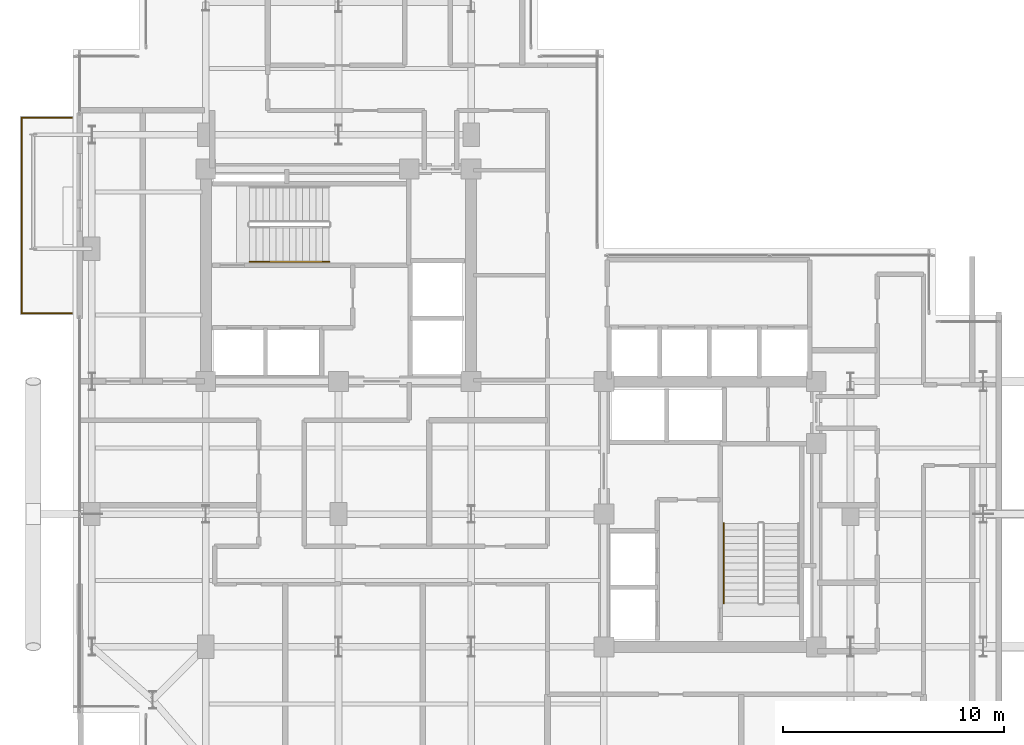
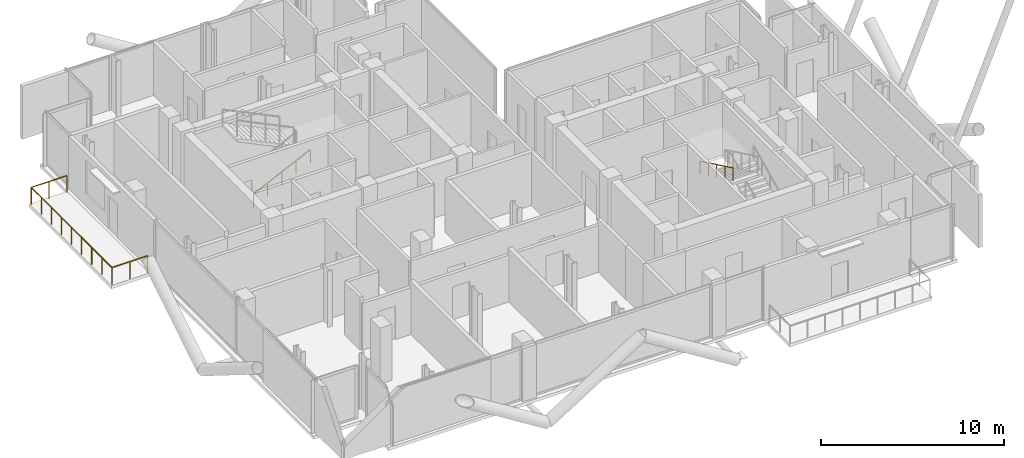
# One storey, part 24 of 26: 3 railings.
"""IFC4 building model written with IfcOpenShell, lengths in metres."""

from ifc_helpers import new_model, si_unit, direction, frame, origin, origin_2d, place, context, subcontext, project, spatial, rectangle, extrude, material, type_object, element, save


model = new_model("IFC4")

# Units and contexts
model_context = context("Model", 3, precision=1e-05, world=origin(), true_north=direction((0.0, 1.0)))
body_context = subcontext(model_context, "Body", "Model", "MODEL_VIEW")
ifc_project = project(units=[si_unit("LENGTHUNIT", "METRE"), si_unit("AREAUNIT", "SQUARE_METRE"), si_unit("VOLUMEUNIT", "CUBIC_METRE"), si_unit("PLANEANGLEUNIT", "RADIAN"), si_unit("MASSUNIT", "GRAM", prefix="KILO"), si_unit("THERMODYNAMICTEMPERATUREUNIT", "KELVIN"), si_unit("POWERUNIT", "WATT")], contexts=[model_context])

# Site, building, storey
site_placement = place(None, origin())
site = spatial("IfcSite", under=ifc_project, at=site_placement, CompositionType="ELEMENT")
building_placement = place(site_placement, origin())
building = spatial("IfcBuilding", under=site, at=building_placement, Name="Svarakhadi Broadcast Tower", CompositionType="ELEMENT")
storey_placement = place(building_placement, frame((0.0, 0.0, 184.199951171875)))
storey = spatial("IfcBuildingStorey", under=building, at=storey_placement, Name="L45", CompositionType="ELEMENT", Elevation=184.199951171875)

# Railings
ifc_material_1 = material(Name="Laminated Structural SentryGlas Balustrade 25.5 mm", Category="glass")
railing_type_1 = type_object("IfcRailingType", Name="Guard_Balcony_GR01", PredefinedType="BALUSTRADE", material=ifc_material_1)
railing_1_placement = place(storey_placement, frame((-0.06005859375, 21.080078125, 0.0)))
element("IfcRailing", 1, at=railing_1_placement, inside=storey, type_object=railing_type_1, Name="L45 West Tree Balcony Guard GR-05", PredefinedType="BALUSTRADE", context=body_context, shape_type="SweptSolid", body=[
    extrude(rectangle(XDim=0.048095703125, YDim=0.048095703125, at=origin_2d()), frame((0.0, 0.0, 1.1259765625), z_axis=(-1.0, 0.0, 0.0), x_axis=(0.0, -1.0, 0.0)), (0.0, 0.0, 1.0), 2.260009765625),
    extrude(rectangle(XDim=0.048095703125, YDim=0.048095703125, at=origin_2d()), frame((-2.260009765625, 0.0, 1.1259765625), z_axis=(0.0, 1.0, 0.0), x_axis=(-1.0, 0.0, 0.0)), (0.0, 0.0, 1.0), 8.83984375),
    extrude(rectangle(XDim=0.048095703125, YDim=0.048095703125, at=origin_2d()), frame((-2.260009765625, 8.83984375, 1.1259765625), z_axis=(1.0, 0.0, 0.0), x_axis=(0.0, 1.0, 0.0)), (0.0, 0.0, 1.0), 2.260009765625),
    extrude(rectangle(XDim=0.0419921875, YDim=0.0419921875, at=origin_2d()), origin(), (0.0, 0.0, 1.0), 1.101806640625),
    extrude(rectangle(XDim=0.0419921875, YDim=0.0419921875, at=origin_2d()), frame((-1.1298828125, 0.0, 0.0)), (0.0, 0.0, 1.0), 1.101806640625),
    extrude(rectangle(XDim=0.0419921875, YDim=0.0419921875, at=origin_2d()), frame((-2.260009765625, 0.0, 0.0)), (0.0, 0.0, 1.0), 1.101806640625),
    extrude(rectangle(XDim=0.0419921875, YDim=0.0419921875, at=origin_2d()), frame((-2.260009765625, 1.10498046875, 0.0)), (0.0, 0.0, 1.0), 1.101806640625),
    extrude(rectangle(XDim=0.0419921875, YDim=0.0419921875, at=origin_2d()), frame((-2.260009765625, 2.2099609375, 0.0)), (0.0, 0.0, 1.0), 1.101806640625),
    extrude(rectangle(XDim=0.0419921875, YDim=0.0419921875, at=origin_2d()), frame((-2.260009765625, 3.31494140625, 0.0)), (0.0, 0.0, 1.0), 1.101806640625),
    extrude(rectangle(XDim=0.0419921875, YDim=0.0419921875, at=origin_2d()), frame((-2.260009765625, 4.419921875, 0.0)), (0.0, 0.0, 1.0), 1.101806640625),
    extrude(rectangle(XDim=0.0419921875, YDim=0.0419921875, at=origin_2d()), frame((-2.260009765625, 5.52490234375, 0.0)), (0.0, 0.0, 1.0), 1.101806640625),
    extrude(rectangle(XDim=0.0419921875, YDim=0.0419921875, at=origin_2d()), frame((-2.260009765625, 6.6298828125, 0.0)), (0.0, 0.0, 1.0), 1.101806640625),
    extrude(rectangle(XDim=0.0419921875, YDim=0.0419921875, at=origin_2d()), frame((-2.260009765625, 7.73486328125, 0.0)), (0.0, 0.0, 1.0), 1.101806640625),
    extrude(rectangle(XDim=0.0419921875, YDim=0.0419921875, at=origin_2d()), frame((-2.260009765625, 8.83984375, 0.0)), (0.0, 0.0, 1.0), 1.101806640625),
    extrude(rectangle(XDim=0.0419921875, YDim=0.0419921875, at=origin_2d()), frame((-1.1298828125, 8.83984375, 0.0)), (0.0, 0.0, 1.0), 1.101806640625),
    extrude(rectangle(XDim=0.0419921875, YDim=0.0419921875, at=origin_2d()), frame((0.0, 8.83984375, 0.0)), (0.0, 0.0, 1.0), 1.101806640625),
])
ifc_material_2 = material(Name="Anodised Bronze Aluminium AA 6063-T6", Category="aluminium")
railing_type_2 = type_object("IfcRailingType", Name="Handrail_Stair_HR01", PredefinedType="HANDRAIL", material=ifc_material_2)
railing_2_placement = place(storey_placement, frame((7.97998046875, 23.409912109375, 0.144287109375)))
element("IfcRailing", 2, at=railing_2_placement, inside=storey, type_object=railing_type_2, Name="L45 ST-01 stair handrail 1", PredefinedType="HANDRAIL", context=body_context, shape_type="SweptSolid", body=[
    extrude(rectangle(XDim=0.048095703125, YDim=0.048095703125, at=origin_2d()), frame((0.0, 0.0, 0.8759765625), z_axis=(0.901262522062, 0.0, 0.433273431364), x_axis=(0.0, 1.0, 0.0)), (0.0, 0.0, 1.0), 3.994384765625),
    extrude(rectangle(XDim=0.0419921875, YDim=0.0419921875, at=origin_2d()), origin(), (0.0, 0.0, 1.0), 0.851806640625),
    extrude(rectangle(XDim=0.0419921875, YDim=0.0419921875, at=origin_2d()), frame((0.89990234375, 0.0, 0.4326171875)), (0.0, 0.0, 1.0), 0.851806640625),
    extrude(rectangle(XDim=0.0419921875, YDim=0.0419921875, at=origin_2d()), frame((1.800048828125, 0.0, 0.865234375)), (0.0, 0.0, 1.0), 0.851806640625),
    extrude(rectangle(XDim=0.0419921875, YDim=0.0419921875, at=origin_2d()), frame((2.7001953125, 0.0, 1.298095703125)), (0.0, 0.0, 1.0), 0.851806640625),
    extrude(rectangle(XDim=0.0419921875, YDim=0.0419921875, at=origin_2d()), frame((3.60009765625, 0.0, 1.730712890625)), (0.0, 0.0, 1.0), 0.851806640625),
])
railing_3_placement = place(storey_placement, frame((29.409912109375, 11.580078125, 2.019287109375)))
element("IfcRailing", 3, at=railing_3_placement, inside=storey, type_object=railing_type_2, Name="L45 ST-02 stair handrail 2", PredefinedType="HANDRAIL", context=body_context, shape_type="SweptSolid", body=[
    extrude(rectangle(XDim=0.048095703125, YDim=0.048095703125, at=origin_2d()), frame((0.0, 0.0, 0.8759765625), z_axis=(0.0, -0.901262522062, 0.433273431364), x_axis=(1.0, 0.0, 0.0)), (0.0, 0.0, 1.0), 3.994384765625),
    extrude(rectangle(XDim=0.0419921875, YDim=0.0419921875, at=origin_2d()), origin(), (0.0, 0.0, 1.0), 0.851806640625),
    extrude(rectangle(XDim=0.0419921875, YDim=0.0419921875, at=origin_2d()), frame((0.0, -0.89990234375, 0.4326171875)), (0.0, 0.0, 1.0), 0.851806640625),
    extrude(rectangle(XDim=0.0419921875, YDim=0.0419921875, at=origin_2d()), frame((0.0, -1.800048828125, 0.865234375)), (0.0, 0.0, 1.0), 0.851806640625),
    extrude(rectangle(XDim=0.0419921875, YDim=0.0419921875, at=origin_2d()), frame((0.0, -2.7001953125, 1.298095703125)), (0.0, 0.0, 1.0), 0.851806640625),
    extrude(rectangle(XDim=0.0419921875, YDim=0.0419921875, at=origin_2d()), frame((0.0, -3.60009765625, 1.730712890625)), (0.0, 0.0, 1.0), 0.851806640625),
])

save(model, "model.ifc")
